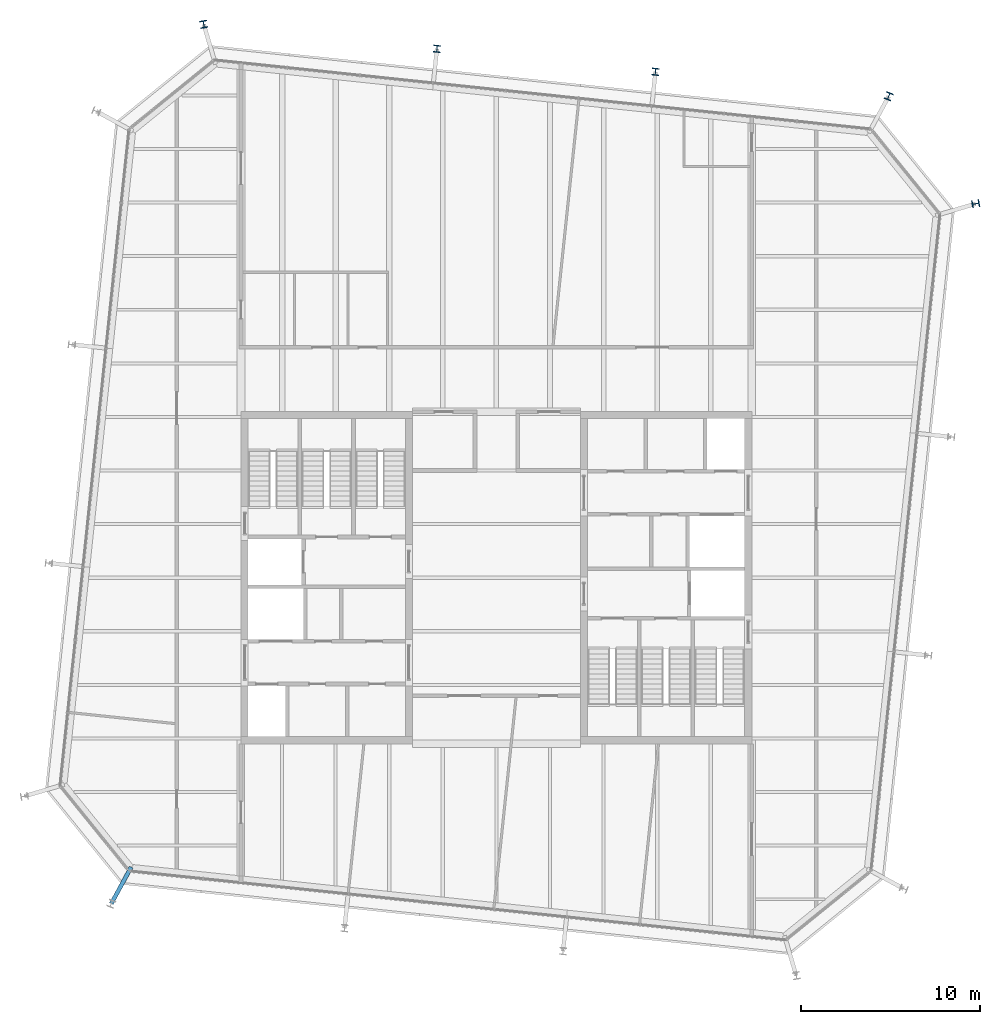
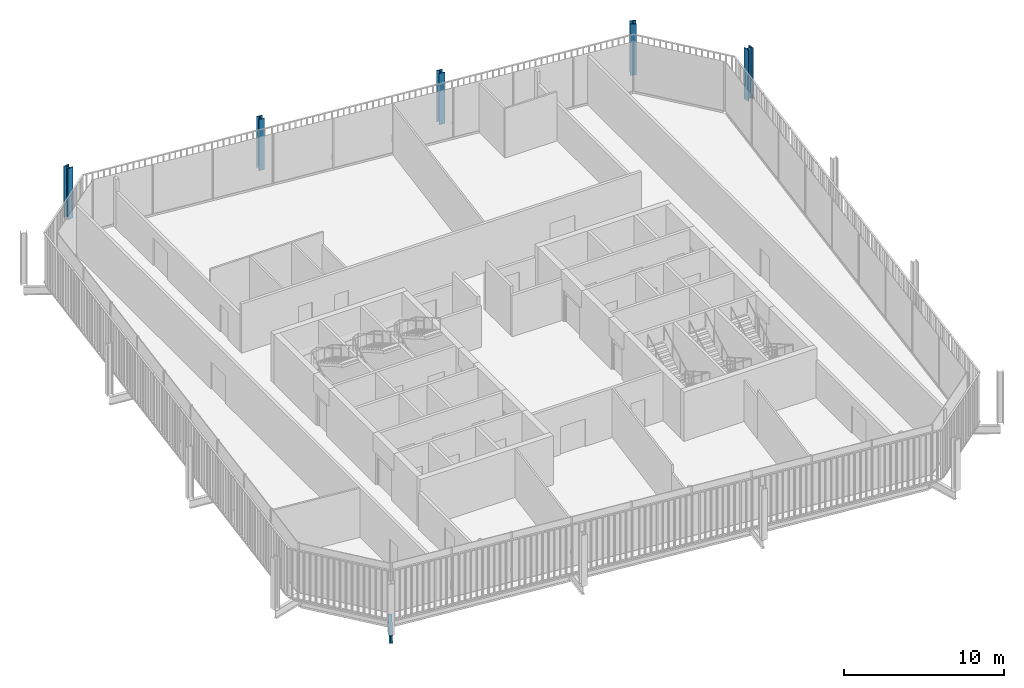
# One storey, part 2 of 20: 5 columns, 1 beam.
"""IFC4 building model written with IfcOpenShell, lengths in metres."""

from ifc_helpers import new_model, si_unit, direction, frame, origin, origin_2d, place, context, subcontext, project, spatial, i_section, extrude, material, material_profile, profile_set, type_object, element, save


model = new_model("IFC4")

# Units and contexts
model_context = context("Model", 3, precision=1e-05, world=origin(), true_north=direction((0.0, 1.0)))
body_context = subcontext(model_context, "Body", "Model", "MODEL_VIEW")
ifc_project = project(units=[si_unit("LENGTHUNIT", "METRE"), si_unit("AREAUNIT", "SQUARE_METRE"), si_unit("VOLUMEUNIT", "CUBIC_METRE"), si_unit("PLANEANGLEUNIT", "RADIAN"), si_unit("MASSUNIT", "GRAM", prefix="KILO")], contexts=[model_context])

# Site, building, storey
site_placement = place(None, origin())
site = spatial("IfcSite", under=ifc_project, at=site_placement, CompositionType="ELEMENT")
building_placement = place(site_placement, origin())
building = spatial("IfcBuilding", under=site, at=building_placement, Name="Millrace Tower", CompositionType="ELEMENT")
storey_placement = place(building_placement, frame((0.0, 0.0, 287.699951171875)))
storey = spatial("IfcBuildingStorey", under=building, at=storey_placement, Name="L66", CompositionType="ELEMENT", Elevation=287.699951171875)

# Columns
ifc_material_1 = material(Name="Steel ASTM A913 Grade 65", Category="steel")
ifc_material_profile_1 = material_profile(ifc_material_1, i_section(OverallWidth=0.4013671875, OverallDepth=0.398681640625, WebThickness=0.02490234375, FlangeThickness=0.03955078125, FilletRadius=0.01513671875, at=origin_2d()))
ifc_profile_set_1 = profile_set([ifc_material_profile_1], Name="Steel ASTM A913 Grade 65")
column_type_1 = type_object("IfcColumnType", Name="Exoskeleton column W14x211", PredefinedType="COLUMN", material=ifc_profile_set_1)
for number, where, z_axis, x_axis, name in (
    (1, (8.9033203125, 28.321533203125, 0.0), (0.0, 0.0, 1.0), (-0.994521897246, 0.104528445407, 0.0), "COL-E-L66-X11"),
    (2, (-3.329345703125, 29.607177734375, 0.0), (0.0, 0.0, 1.0), (-0.994521897246, 0.104528445407, 0.0), "COL-E-L66-X12"),
):
    element("IfcColumn", number, at=place(storey_placement, frame(where, z_axis=z_axis, x_axis=x_axis)), inside=storey, type_object=column_type_1, Name=name, PredefinedType="COLUMN", context=body_context, shape_type="SweptSolid", body=[
        extrude(i_section(OverallWidth=0.4013671875, OverallDepth=0.398681640625, WebThickness=0.02490234375, FlangeThickness=0.03955078125, FilletRadius=0.01513671875, at=origin_2d()), origin(), (0.0, 0.0, 1.0), 3.900146484375),
    ])
ifc_material_2 = material(Name="Steel ASTM A913 Grade 65", Category="steel")
ifc_material_profile_2 = material_profile(ifc_material_2, i_section(OverallWidth=0.406494140625, OverallDepth=0.41650390625, WebThickness=0.030029296875, FlangeThickness=0.048095703125, FilletRadius=0.01513671875, at=origin_2d()))
ifc_profile_set_2 = profile_set([ifc_material_profile_2], Name="Steel ASTM A913 Grade 65")
column_type_2 = type_object("IfcColumnType", Name="Exoskeleton column W14x257", PredefinedType="COLUMN", material=ifc_profile_set_2)
for number, where, z_axis, x_axis, name in (
    (3, (26.82958984375, 20.935791015625, 0.0), (0.0, 0.0, 1.0), (-0.18038747256, 0.983595628164, 0.0), "COL-E-L66-X09"),
    (4, (21.9599609375, 26.94921875, 0.0), (0.0, 0.0, 1.0), (-0.92459700658, 0.380946683176, 0.0), "COL-E-L66-X10"),
    (5, (-16.3857421875, 30.9794921875, 0.0), (0.0, 0.0, 1.0), (-0.983595628164, -0.18038747256, 0.0), "COL-E-L66-X13"),
):
    element("IfcColumn", number, at=place(storey_placement, frame(where, z_axis=z_axis, x_axis=x_axis)), inside=storey, type_object=column_type_2, Name=name, PredefinedType="COLUMN", context=body_context, shape_type="SweptSolid", body=[
        extrude(i_section(OverallWidth=0.406494140625, OverallDepth=0.41650390625, WebThickness=0.030029296875, FlangeThickness=0.048095703125, FilletRadius=0.01513671875, at=origin_2d()), origin(), (0.0, 0.0, 1.0), 3.900146484375),
    ])

# Beam
ifc_material_3 = material(Name="Steel ASTM A992 Grade 50", Category="steel")
ifc_material_profile_3 = material_profile(ifc_material_3, i_section(OverallWidth=0.23046875, OverallDepth=0.6171875, WebThickness=0.01318359375, FlangeThickness=0.022216796875, FilletRadius=0.012939453125, at=origin_2d()))
ifc_profile_set_3 = profile_set([ifc_material_profile_3], Name="Steel ASTM A992 Grade 50")
beam_type = type_object("IfcBeamType", Name="Link beam W24x94", PredefinedType="BEAM", material=ifc_profile_set_3)
beam_placement = place(storey_placement, frame((-20.447509765625, -16.20068359375, -0.468505859375), z_axis=(-0.477163510307, -0.87881453358, 0.0), x_axis=(0.87881453358, -0.477163510307, 0.0)))
element("IfcBeam", 6, at=beam_placement, inside=storey, type_object=beam_type, Name="LNK-E-L66-S1-16", PredefinedType="BEAM", context=body_context, shape_type="SweptSolid", body=[
    extrude(i_section(OverallWidth=0.23046875, OverallDepth=0.6171875, WebThickness=0.01318359375, FlangeThickness=0.022216796875, FilletRadius=0.012939453125, at=origin_2d()), origin(), (0.0, 0.0, 1.0), 2.3310546875),
])

save(model, "model.ifc")
